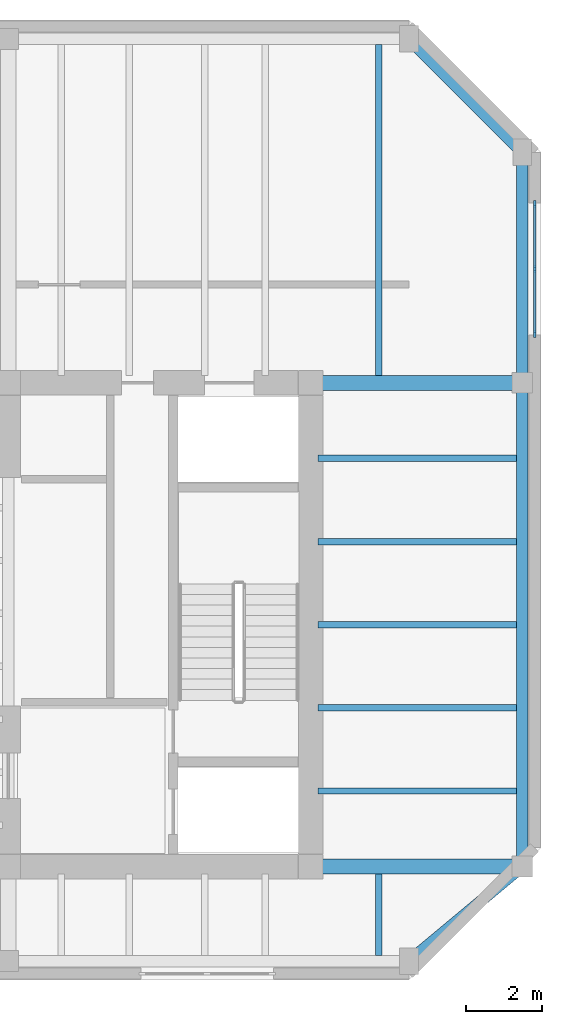
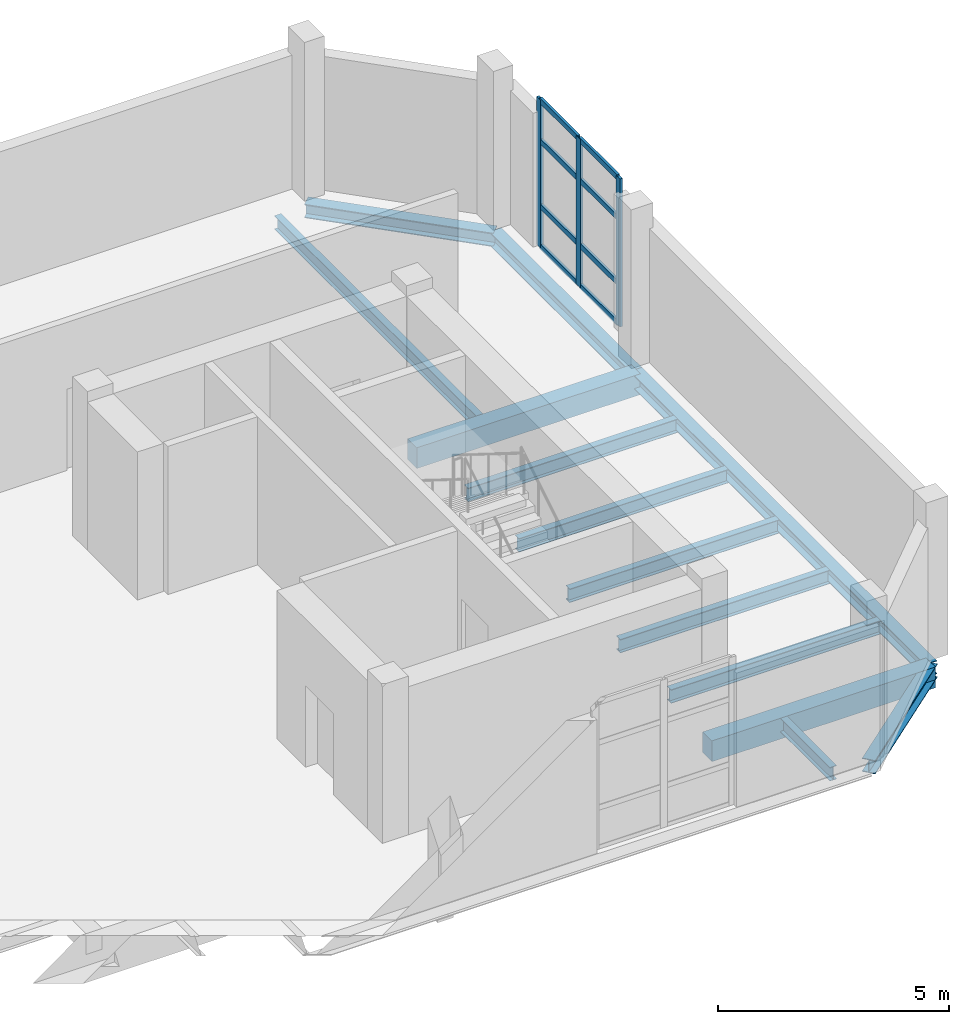
# One storey, part 4 of 7: 13 beams, 11 members, 1 element without a shape of its own.
"""IFC4 building model written with IfcOpenShell, lengths in metres."""

from ifc_helpers import new_model, si_unit, direction, frame, origin, origin_2d, place, context, subcontext, project, spatial, rectangle, i_section, extrude, material, layer, layer_set, material_profile, profile_set, type_object, element, aggregate, save


model = new_model("IFC4")

# Units and contexts
model_context = context("Model", 3, precision=1e-05, world=origin(), true_north=direction((0.0, 1.0)))
body_context = subcontext(model_context, "Body", "Model", "MODEL_VIEW")
ifc_project = project(units=[si_unit("LENGTHUNIT", "METRE"), si_unit("AREAUNIT", "SQUARE_METRE"), si_unit("VOLUMEUNIT", "CUBIC_METRE"), si_unit("PLANEANGLEUNIT", "RADIAN"), si_unit("MASSUNIT", "GRAM", prefix="KILO")], contexts=[model_context])

# Site, building, storey
site_placement = place(None, origin())
site = spatial("IfcSite", under=ifc_project, at=site_placement, CompositionType="ELEMENT")
building_placement = place(site_placement, origin())
building = spatial("IfcBuilding", under=site, at=building_placement, Name="Kranthara Brick Stack", CompositionType="ELEMENT")
storey_placement = place(building_placement, frame((0.0, 0.0, 304.800048828125)))
storey = spatial("IfcBuildingStorey", under=building, at=storey_placement, Name="L80", CompositionType="ELEMENT", Elevation=304.800048828125)

# Beams
ifc_material_1 = material(Name="Post-tensioned concrete C45/55", Category="concrete")
ifc_material_profile_1 = material_profile(ifc_material_1, rectangle(XDim=0.39990234375, YDim=0.550048828125, at=origin_2d()), Name="PT 400x550")
ifc_profile_set_1 = profile_set([ifc_material_profile_1], Name="Post-tensioned concrete C45/55")
beam_type_1 = type_object("IfcBeamType", Name="BM-FLR-PT550", PredefinedType="BEAM", material=ifc_profile_set_1)
for number, where, z_axis, x_axis, name in (
    (1, (43.199951171875, 20.800048828125, -0.554931640625), (1.0, 0.0, 0.0), (0.0, 1.0, 0.0), "L80 Primary Grid Girder 029"),
    (2, (43.199951171875, 33.60009765625, -0.554931640625), (1.0, 0.0, 0.0), (0.0, 1.0, 0.0), "L80 Primary Grid Girder 031"),
):
    element("IfcBeam", number, at=place(storey_placement, frame(where, z_axis=z_axis, x_axis=x_axis)), inside=storey, type_object=beam_type_1, Name=name, PredefinedType="BEAM", context=body_context, shape_type="SweptSolid", body=[
        extrude(rectangle(XDim=0.39990234375, YDim=0.550048828125, at=origin_2d()), origin(), (0.0, 0.0, 1.0), 5.60009765625),
    ])
ifc_material_2 = material(Name="Steel S355", Category="steel")
ifc_material_profile_2 = material_profile(ifc_material_2, i_section(OverallWidth=0.169921875, OverallDepth=0.360107421875, WebThickness=0.008056640625, FlangeThickness=0.0126953125, at=origin_2d()), Name="IPE 360")
ifc_profile_set_2 = profile_set([ifc_material_profile_2], Name="Steel S355")
beam_type_2 = type_object("IfcBeamType", Name="BM-JST-IPE360", PredefinedType="JOIST", material=ifc_profile_set_2)
beam_1_placement = place(storey_placement, frame((45.0, 18.449951171875, -0.4599609375), z_axis=(0.0, 1.0, 0.0), x_axis=(-1.0, 0.0, 0.0)))
element("IfcBeam", 3, at=beam_1_placement, inside=storey, type_object=beam_type_2, Name="L80 South Wing Floor Joist 076", PredefinedType="JOIST", context=body_context, shape_type="SweptSolid", body=[
    extrude(i_section(OverallWidth=0.169921875, OverallDepth=0.360107421875, WebThickness=0.008056640625, FlangeThickness=0.0126953125, at=origin_2d()), origin(), (0.0, 0.0, 1.0), 2.150146484375),
])
beam_2_placement = place(storey_placement, frame((45.0, 33.800048828125, -0.4599609375), z_axis=(0.0, 1.0, 0.0), x_axis=(-1.0, 0.0, 0.0)))
element("IfcBeam", 4, at=beam_2_placement, inside=storey, type_object=beam_type_2, Name="L80 North Wing Floor Joist 077", PredefinedType="JOIST", context=body_context, shape_type="SweptSolid", body=[
    extrude(i_section(OverallWidth=0.169921875, OverallDepth=0.360107421875, WebThickness=0.008056640625, FlangeThickness=0.0126953125, at=origin_2d()), origin(), (0.0, 0.0, 1.0), 8.75),
])
for number, where, z_axis, x_axis, name in (
    (5, (43.39990234375, 22.800048828125, -0.4599609375), (1.0, 0.0, 0.0), (0.0, 1.0, 0.0), "L80 East Wing Floor Joist 079"),
    (6, (43.39990234375, 25.0, -0.4599609375), (1.0, 0.0, 0.0), (0.0, 1.0, 0.0), "L80 East Wing Floor Joist 081"),
    (7, (43.39990234375, 27.199951171875, -0.4599609375), (1.0, 0.0, 0.0), (0.0, 1.0, 0.0), "L80 East Wing Floor Joist 083"),
    (8, (43.39990234375, 29.39990234375, -0.4599609375), (1.0, 0.0, 0.0), (0.0, 1.0, 0.0), "L80 East Wing Floor Joist 085"),
    (9, (43.39990234375, 31.60009765625, -0.4599609375), (1.0, 0.0, 0.0), (0.0, 1.0, 0.0), "L80 East Wing Floor Joist 087"),
):
    element("IfcBeam", number, at=place(storey_placement, frame(where, z_axis=z_axis, x_axis=x_axis)), inside=storey, type_object=beam_type_2, Name=name, PredefinedType="JOIST", context=body_context, shape_type="SweptSolid", body=[
        extrude(i_section(OverallWidth=0.169921875, OverallDepth=0.360107421875, WebThickness=0.008056640625, FlangeThickness=0.0126953125, at=origin_2d()), origin(), (0.0, 0.0, 1.0), 5.25),
    ])
ifc_material_3 = material(Name="Steel S355", Category="steel")
ifc_material_profile_3 = material_profile(ifc_material_3, i_section(OverallWidth=0.300048828125, OverallDepth=0.360107421875, WebThickness=0.012451171875, FlangeThickness=0.0224609375, at=origin_2d()), Name="HEB 360")
ifc_profile_set_3 = profile_set([ifc_material_profile_3], Name="Steel S355")
beam_type_3 = type_object("IfcBeamType", Name="BM-STL-HEB360", PredefinedType="SPANDREL", material=ifc_profile_set_3)
beam_3_placement = place(storey_placement, frame((48.800048828125, 20.800048828125, -0.4599609375), z_axis=(0.0, 1.0, 0.0), x_axis=(-1.0, 0.0, 0.0)))
element("IfcBeam", 10, at=beam_3_placement, inside=storey, type_object=beam_type_3, Name="L80 Perimeter Spandrel Beam 015", PredefinedType="SPANDREL", context=body_context, shape_type="SweptSolid", body=[
    extrude(i_section(OverallWidth=0.300048828125, OverallDepth=0.360107421875, WebThickness=0.012451171875, FlangeThickness=0.0224609375, at=origin_2d()), origin(), (0.0, 0.0, 1.0), 12.800048828125),
])
beam_4_placement = place(storey_placement, frame((48.800048828125, 33.60009765625, -0.4599609375), z_axis=(0.0, 1.0, 0.0), x_axis=(-1.0, 0.0, 0.0)))
element("IfcBeam", 11, at=beam_4_placement, inside=storey, type_object=beam_type_3, Name="L80 Perimeter Spandrel Beam 016", PredefinedType="SPANDREL", context=body_context, shape_type="SweptSolid", body=[
    extrude(i_section(OverallWidth=0.300048828125, OverallDepth=0.360107421875, WebThickness=0.012451171875, FlangeThickness=0.0224609375, at=origin_2d()), origin(), (0.0, 0.0, 1.0), 6.099853515625),
])
beam_5_placement = place(storey_placement, frame((45.800048828125, 18.300048828125, -0.4599609375), z_axis=(0.768221279597, 0.640184399664, 0.0), x_axis=(-0.640184399664, 0.768221279597, 0.0)))
element("IfcBeam", 12, at=beam_5_placement, inside=storey, type_object=beam_type_3, Name="L80 Chamfer Corner Spandrel 018", PredefinedType="SPANDREL", context=body_context, shape_type="SweptSolid", body=[
    extrude(i_section(OverallWidth=0.300048828125, OverallDepth=0.360107421875, WebThickness=0.012451171875, FlangeThickness=0.0224609375, at=origin_2d()), origin(), (0.0, 0.0, 1.0), 3.905029296875),
])
beam_6_placement = place(storey_placement, frame((45.800048828125, 42.699951171875, -0.4599609375), z_axis=(0.707106781187, -0.707106781187, 0.0), x_axis=(0.707106781187, 0.707106781187, 0.0)))
element("IfcBeam", 13, at=beam_6_placement, inside=storey, type_object=beam_type_3, Name="L80 Chamfer Corner Spandrel 020", PredefinedType="SPANDREL", context=body_context, shape_type="SweptSolid", body=[
    extrude(i_section(OverallWidth=0.300048828125, OverallDepth=0.360107421875, WebThickness=0.012451171875, FlangeThickness=0.0224609375, at=origin_2d()), origin(), (0.0, 0.0, 1.0), 4.24267578125),
])

# Curtain wall, members
ifc_material_4 = material(Name="Bronze anodised aluminium and low-E glass", Category="aluminium")
ifc_layer = layer(ifc_material_4, 0.25)
ifc_layer_set = layer_set([ifc_layer], Name="Bronze anodised aluminium and low-E glass")
curtain_wall_type = type_object("IfcCurtainWallType", Name="CW-SYS6-CROWN", PredefinedType="USERDEFINED", material=ifc_layer_set)
curtain_wall_placement = place(storey_placement, origin())
curtain_wall = element("IfcCurtainWall", 14, at=curtain_wall_placement, inside=storey, type_object=curtain_wall_type, Name="L80 Curtain Wall CW6-L80-03", ObjectType="UNITISED CURTAIN WALL", PredefinedType="USERDEFINED")
ifc_material_5 = material(Name="Bronze anodised aluminium 6063-T6", Category="aluminium")
ifc_material_profile_4 = material_profile(ifc_material_5, rectangle(XDim=0.06494140625, YDim=0.179931640625, at=origin_2d()), Name="ALU MULLION 65x180")
ifc_profile_set_4 = profile_set([ifc_material_profile_4], Name="Bronze anodised aluminium 6063-T6")
member_type_1 = type_object("IfcMemberType", Name="CWM-65x180", PredefinedType="MULLION", material=ifc_profile_set_4)
member_1_placement = place(storey_placement, frame((49.1298828125, 38.32958984375, 0.0), z_axis=(0.0, 0.0, 1.0), x_axis=(1.0, 0.0, 0.0)))
member_1 = element("IfcMember", 15, at=member_1_placement, type_object=member_type_1, Name="CW mullion 1", PredefinedType="MULLION", context=body_context, shape_type="SweptSolid", body=[
    extrude(rectangle(XDim=0.06494140625, YDim=0.179931640625, at=origin_2d()), origin(), (0.0, 0.0, 1.0), 3.919921875),
])
member_2_placement = place(storey_placement, frame((49.1298828125, 36.612060546875, 0.0), z_axis=(0.0, 0.0, 1.0), x_axis=(1.0, 0.0, 0.0)))
member_2 = element("IfcMember", 16, at=member_2_placement, type_object=member_type_1, Name="CW mullion 2", PredefinedType="MULLION", context=body_context, shape_type="SweptSolid", body=[
    extrude(rectangle(XDim=0.06494140625, YDim=0.179931640625, at=origin_2d()), origin(), (0.0, 0.0, 1.0), 3.919921875),
])
member_3_placement = place(storey_placement, frame((49.1298828125, 34.89453125, 0.0), z_axis=(0.0, 0.0, 1.0), x_axis=(1.0, 0.0, 0.0)))
member_3 = element("IfcMember", 17, at=member_3_placement, type_object=member_type_1, Name="CW mullion 3", PredefinedType="MULLION", context=body_context, shape_type="SweptSolid", body=[
    extrude(rectangle(XDim=0.06494140625, YDim=0.179931640625, at=origin_2d()), origin(), (0.0, 0.0, 1.0), 3.919921875),
])
ifc_material_6 = material(Name="Bronze anodised aluminium 6063-T6", Category="aluminium")
ifc_material_profile_5 = material_profile(ifc_material_6, rectangle(XDim=0.06494140625, YDim=0.139892578125, at=origin_2d()), Name="ALU TRANSOM 65x140")
ifc_profile_set_5 = profile_set([ifc_material_profile_5], Name="Bronze anodised aluminium 6063-T6")
member_type_2 = type_object("IfcMemberType", Name="CWT-65x140", PredefinedType="USERDEFINED", material=ifc_profile_set_5)
member_4_placement = place(storey_placement, frame((49.1298828125, 38.297119140625, 0.032470703125), z_axis=(0.0, -1.0, 0.0), x_axis=(1.0, 0.0, 0.0)))
member_4 = element("IfcMember", 18, at=member_4_placement, type_object=member_type_2, Name="CW transom 1.1", ObjectType="TRANSOM", PredefinedType="USERDEFINED", context=body_context, shape_type="SweptSolid", body=[
    extrude(rectangle(XDim=0.06494140625, YDim=0.139892578125, at=origin_2d()), origin(), (0.0, 0.0, 1.0), 1.652587890625),
])
member_5_placement = place(storey_placement, frame((49.1298828125, 38.297119140625, 1.09765625), z_axis=(0.0, -1.0, 0.0), x_axis=(1.0, 0.0, 0.0)))
member_5 = element("IfcMember", 19, at=member_5_placement, type_object=member_type_2, Name="CW transom 1.2", ObjectType="TRANSOM", PredefinedType="USERDEFINED", context=body_context, shape_type="SweptSolid", body=[
    extrude(rectangle(XDim=0.06494140625, YDim=0.139892578125, at=origin_2d()), origin(), (0.0, 0.0, 1.0), 1.652587890625),
])
member_6_placement = place(storey_placement, frame((49.1298828125, 38.297119140625, 2.822265625), z_axis=(0.0, -1.0, 0.0), x_axis=(1.0, 0.0, 0.0)))
member_6 = element("IfcMember", 20, at=member_6_placement, type_object=member_type_2, Name="CW transom 1.3", ObjectType="TRANSOM", PredefinedType="USERDEFINED", context=body_context, shape_type="SweptSolid", body=[
    extrude(rectangle(XDim=0.06494140625, YDim=0.139892578125, at=origin_2d()), origin(), (0.0, 0.0, 1.0), 1.652587890625),
])
member_7_placement = place(storey_placement, frame((49.1298828125, 38.297119140625, 3.887451171875), z_axis=(0.0, -1.0, 0.0), x_axis=(1.0, 0.0, 0.0)))
member_7 = element("IfcMember", 21, at=member_7_placement, type_object=member_type_2, Name="CW transom 1.4", ObjectType="TRANSOM", PredefinedType="USERDEFINED", context=body_context, shape_type="SweptSolid", body=[
    extrude(rectangle(XDim=0.06494140625, YDim=0.139892578125, at=origin_2d()), origin(), (0.0, 0.0, 1.0), 1.652587890625),
])
member_8_placement = place(storey_placement, frame((49.1298828125, 36.57958984375, 0.032470703125), z_axis=(0.0, -1.0, 0.0), x_axis=(1.0, 0.0, 0.0)))
member_8 = element("IfcMember", 22, at=member_8_placement, type_object=member_type_2, Name="CW transom 2.1", ObjectType="TRANSOM", PredefinedType="USERDEFINED", context=body_context, shape_type="SweptSolid", body=[
    extrude(rectangle(XDim=0.06494140625, YDim=0.139892578125, at=origin_2d()), origin(), (0.0, 0.0, 1.0), 1.652587890625),
])
member_9_placement = place(storey_placement, frame((49.1298828125, 36.57958984375, 1.09765625), z_axis=(0.0, -1.0, 0.0), x_axis=(1.0, 0.0, 0.0)))
member_9 = element("IfcMember", 23, at=member_9_placement, type_object=member_type_2, Name="CW transom 2.2", ObjectType="TRANSOM", PredefinedType="USERDEFINED", context=body_context, shape_type="SweptSolid", body=[
    extrude(rectangle(XDim=0.06494140625, YDim=0.139892578125, at=origin_2d()), origin(), (0.0, 0.0, 1.0), 1.652587890625),
])
member_10_placement = place(storey_placement, frame((49.1298828125, 36.57958984375, 2.822265625), z_axis=(0.0, -1.0, 0.0), x_axis=(1.0, 0.0, 0.0)))
member_10 = element("IfcMember", 24, at=member_10_placement, type_object=member_type_2, Name="CW transom 2.3", ObjectType="TRANSOM", PredefinedType="USERDEFINED", context=body_context, shape_type="SweptSolid", body=[
    extrude(rectangle(XDim=0.06494140625, YDim=0.139892578125, at=origin_2d()), origin(), (0.0, 0.0, 1.0), 1.652587890625),
])
member_11_placement = place(storey_placement, frame((49.1298828125, 36.57958984375, 3.887451171875), z_axis=(0.0, -1.0, 0.0), x_axis=(1.0, 0.0, 0.0)))
member_11 = element("IfcMember", 25, at=member_11_placement, type_object=member_type_2, Name="CW transom 2.4", ObjectType="TRANSOM", PredefinedType="USERDEFINED", context=body_context, shape_type="SweptSolid", body=[
    extrude(rectangle(XDim=0.06494140625, YDim=0.139892578125, at=origin_2d()), origin(), (0.0, 0.0, 1.0), 1.652587890625),
])
aggregate(curtain_wall, [member_1, member_2, member_3, member_4, member_5, member_6, member_7, member_8, member_9, member_10, member_11])

save(model, "model.ifc")
